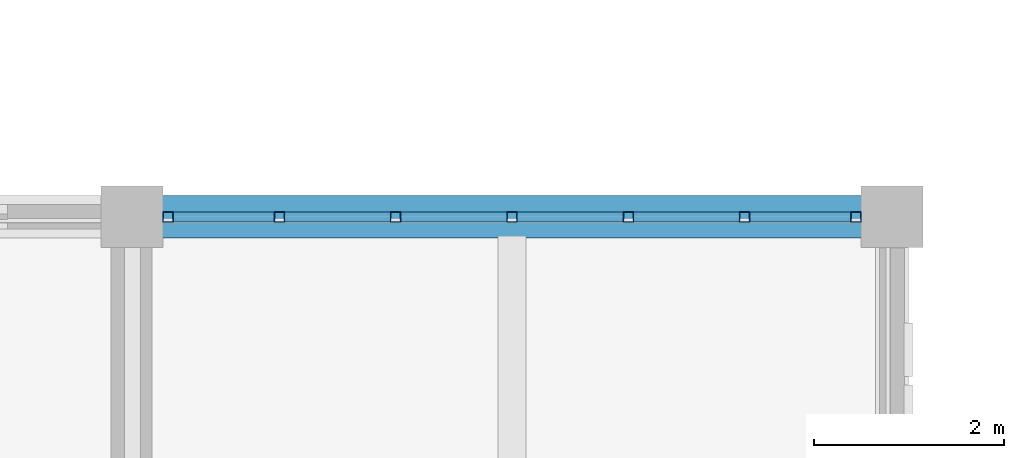
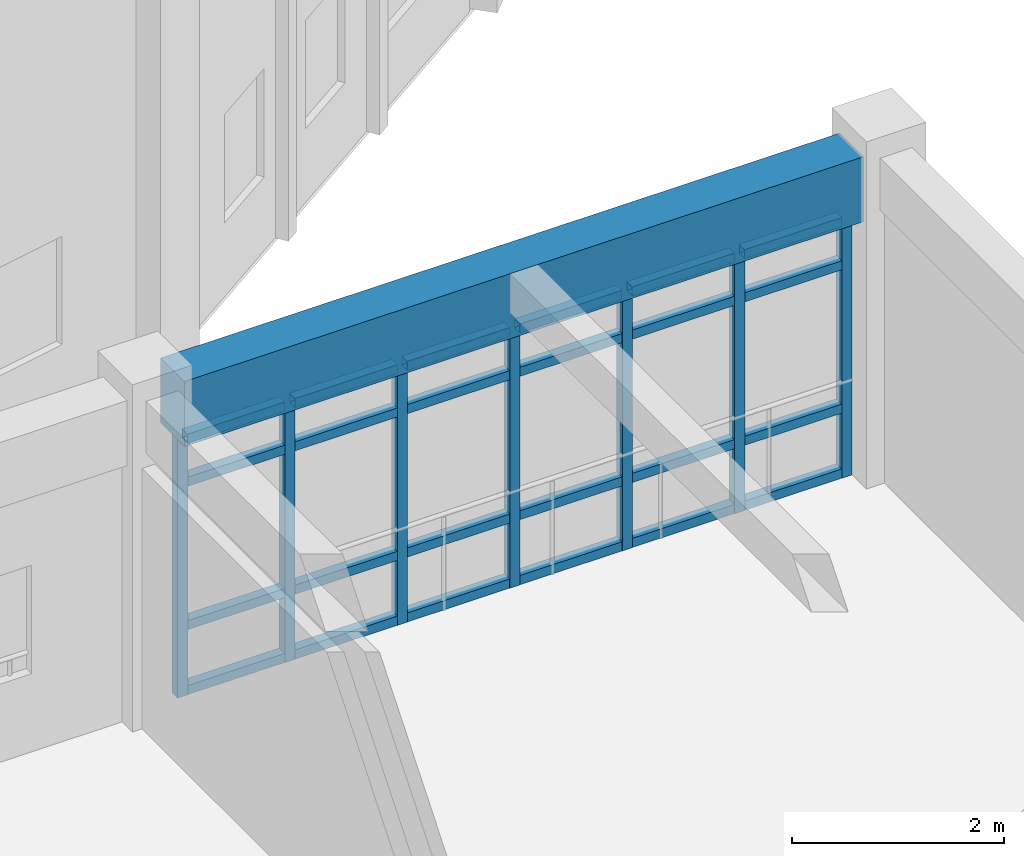
# One storey, part 58 of 149: 31 members, 1 beam, 1 element without a shape of its own.
"""IFC4 building model written with IfcOpenShell, lengths in metres."""

from ifc_helpers import new_model, si_unit, direction, frame, origin, origin_2d, place, context, subcontext, project, spatial, rectangle, hollow_rectangle, extrude, material, material_profile, profile_set, type_object, element, aggregate, save


model = new_model("IFC4")

# Units and contexts
model_context = context("Model", 3, precision=1e-05, world=origin(), true_north=direction((0.0, 1.0)))
body_context = subcontext(model_context, "Body", "Model", "MODEL_VIEW")
ifc_project = project(units=[si_unit("LENGTHUNIT", "METRE"), si_unit("AREAUNIT", "SQUARE_METRE"), si_unit("VOLUMEUNIT", "CUBIC_METRE"), si_unit("PLANEANGLEUNIT", "RADIAN"), si_unit("MASSUNIT", "GRAM", prefix="KILO")], contexts=[model_context])

# Site, building, storey
site_placement = place(None, origin())
site = spatial("IfcSite", under=ifc_project, at=site_placement, CompositionType="ELEMENT")
building_placement = place(site_placement, origin())
building = spatial("IfcBuilding", under=site, at=building_placement, Name="Celadon Cloister-Ring School", CompositionType="ELEMENT")
storey_placement = place(building_placement, frame((0.0, 0.0, 12.5)))
storey = spatial("IfcBuildingStorey", under=building, at=storey_placement, Name="L03", CompositionType="ELEMENT", Elevation=12.5)

# Curtain wall, members
ifc_material_1 = material(Name="Aluminium EN AW-6063 T6", Category="aluminium")
curtain_wall_type = type_object("IfcCurtainWallType", Name="CW-15", PredefinedType="USERDEFINED", material=ifc_material_1)
curtain_wall_placement = place(storey_placement, origin())
curtain_wall = element("IfcCurtainWall", 1, at=curtain_wall_placement, inside=storey, type_object=curtain_wall_type, Name="Curtain Wall 0204", ObjectType="CURTAIN WALL", PredefinedType="USERDEFINED")
ifc_material_2 = material(Name="Aluminium EN AW-6063 T6", Category="aluminium")
ifc_material_profile_1 = material_profile(ifc_material_2, hollow_rectangle(XDim=0.110107421875, YDim=0.110107421875, WallThickness=0.0048828125, at=origin_2d()), Name="RHS110X110X5")
ifc_profile_set_1 = profile_set([ifc_material_profile_1], Name="Aluminium EN AW-6063 T6")
member_type_1 = type_object("IfcMemberType", Name="CM-01", PredefinedType="MULLION", material=ifc_profile_set_1)
member_1_placement = place(storey_placement, frame((24.3798828125, 76.0, 0.0), z_axis=(0.0, 0.0, 1.0), x_axis=(0.0, 1.0, 0.0)))
member_1 = element("IfcMember", 2, at=member_1_placement, type_object=member_type_1, Name="CW-15 mullion 1", PredefinedType="MULLION", context=body_context, shape_type="SweptSolid", body=[
    extrude(hollow_rectangle(XDim=0.110107421875, YDim=0.110107421875, WallThickness=0.0048828125, at=origin_2d()), origin(), (0.0, 0.0, 1.0), 3.001953125),
])
member_2_placement = place(storey_placement, frame((25.550048828125, 76.0, 0.0), z_axis=(0.0, 0.0, 1.0), x_axis=(0.0, 1.0, 0.0)))
member_2 = element("IfcMember", 3, at=member_2_placement, type_object=member_type_1, Name="CW-15 mullion 2", PredefinedType="MULLION", context=body_context, shape_type="SweptSolid", body=[
    extrude(hollow_rectangle(XDim=0.110107421875, YDim=0.110107421875, WallThickness=0.0048828125, at=origin_2d()), origin(), (0.0, 0.0, 1.0), 3.001953125),
])
member_3_placement = place(storey_placement, frame((26.77490234375, 76.0, 0.0), z_axis=(0.0, 0.0, 1.0), x_axis=(0.0, 1.0, 0.0)))
member_3 = element("IfcMember", 4, at=member_3_placement, type_object=member_type_1, Name="CW-15 mullion 3", PredefinedType="MULLION", context=body_context, shape_type="SweptSolid", body=[
    extrude(hollow_rectangle(XDim=0.110107421875, YDim=0.110107421875, WallThickness=0.0048828125, at=origin_2d()), origin(), (0.0, 0.0, 1.0), 3.001953125),
])
member_4_placement = place(storey_placement, frame((28.0, 76.0, 0.0), z_axis=(0.0, 0.0, 1.0), x_axis=(0.0, 1.0, 0.0)))
member_4 = element("IfcMember", 5, at=member_4_placement, type_object=member_type_1, Name="CW-15 mullion 4", PredefinedType="MULLION", context=body_context, shape_type="SweptSolid", body=[
    extrude(hollow_rectangle(XDim=0.110107421875, YDim=0.110107421875, WallThickness=0.0048828125, at=origin_2d()), origin(), (0.0, 0.0, 1.0), 3.001953125),
])
member_5_placement = place(storey_placement, frame((29.22509765625, 76.0, 0.0), z_axis=(0.0, 0.0, 1.0), x_axis=(0.0, 1.0, 0.0)))
member_5 = element("IfcMember", 6, at=member_5_placement, type_object=member_type_1, Name="CW-15 mullion 5", PredefinedType="MULLION", context=body_context, shape_type="SweptSolid", body=[
    extrude(hollow_rectangle(XDim=0.110107421875, YDim=0.110107421875, WallThickness=0.0048828125, at=origin_2d()), origin(), (0.0, 0.0, 1.0), 3.001953125),
])
member_6_placement = place(storey_placement, frame((30.449951171875, 76.0, 0.0), z_axis=(0.0, 0.0, 1.0), x_axis=(0.0, 1.0, 0.0)))
member_6 = element("IfcMember", 7, at=member_6_placement, type_object=member_type_1, Name="CW-15 mullion 6", PredefinedType="MULLION", context=body_context, shape_type="SweptSolid", body=[
    extrude(hollow_rectangle(XDim=0.110107421875, YDim=0.110107421875, WallThickness=0.0048828125, at=origin_2d()), origin(), (0.0, 0.0, 1.0), 3.001953125),
])
member_7_placement = place(storey_placement, frame((31.6201171875, 76.0, 0.0), z_axis=(0.0, 0.0, 1.0), x_axis=(0.0, 1.0, 0.0)))
member_7 = element("IfcMember", 8, at=member_7_placement, type_object=member_type_1, Name="CW-15 mullion 7", PredefinedType="MULLION", context=body_context, shape_type="SweptSolid", body=[
    extrude(hollow_rectangle(XDim=0.110107421875, YDim=0.110107421875, WallThickness=0.0048828125, at=origin_2d()), origin(), (0.0, 0.0, 1.0), 3.001953125),
])
ifc_material_3 = material(Name="Aluminium EN AW-6063 T6", Category="aluminium")
ifc_material_profile_2 = material_profile(ifc_material_3, hollow_rectangle(XDim=0.10498046875, YDim=0.10498046875, WallThickness=0.0048828125, at=origin_2d()), Name="RHS105X105X5")
ifc_profile_set_2 = profile_set([ifc_material_profile_2], Name="Aluminium EN AW-6063 T6")
member_type_2 = type_object("IfcMemberType", Name="CTM-01", PredefinedType="USERDEFINED", material=ifc_profile_set_2)
member_8_placement = place(storey_placement, frame((24.43505859375, 76.0, 0.052490234375), z_axis=(1.0, 0.0, 0.0), x_axis=(0.0, 1.0, 0.0)))
member_8 = element("IfcMember", 9, at=member_8_placement, type_object=member_type_2, Name="CW-15 transom 1.1", ObjectType="TRANSOM", PredefinedType="USERDEFINED", context=body_context, shape_type="SweptSolid", body=[
    extrude(hollow_rectangle(XDim=0.10498046875, YDim=0.10498046875, WallThickness=0.0048828125, at=origin_2d()), origin(), (0.0, 0.0, 1.0), 1.06005859375),
])
member_9_placement = place(storey_placement, frame((24.43505859375, 76.0, 0.800048828125), z_axis=(1.0, 0.0, 0.0), x_axis=(0.0, 1.0, 0.0)))
member_9 = element("IfcMember", 10, at=member_9_placement, type_object=member_type_2, Name="CW-15 transom 1.2", ObjectType="TRANSOM", PredefinedType="USERDEFINED", context=body_context, shape_type="SweptSolid", body=[
    extrude(hollow_rectangle(XDim=0.10498046875, YDim=0.10498046875, WallThickness=0.0048828125, at=origin_2d()), origin(), (0.0, 0.0, 1.0), 1.06005859375),
])
member_10_placement = place(storey_placement, frame((24.43505859375, 76.0, 2.451904296875), z_axis=(1.0, 0.0, 0.0), x_axis=(0.0, 1.0, 0.0)))
member_10 = element("IfcMember", 11, at=member_10_placement, type_object=member_type_2, Name="CW-15 transom 1.3", ObjectType="TRANSOM", PredefinedType="USERDEFINED", context=body_context, shape_type="SweptSolid", body=[
    extrude(hollow_rectangle(XDim=0.10498046875, YDim=0.10498046875, WallThickness=0.0048828125, at=origin_2d()), origin(), (0.0, 0.0, 1.0), 1.06005859375),
])
member_11_placement = place(storey_placement, frame((24.43505859375, 76.0, 2.949462890625), z_axis=(1.0, 0.0, 0.0), x_axis=(0.0, 1.0, 0.0)))
member_11 = element("IfcMember", 12, at=member_11_placement, type_object=member_type_2, Name="CW-15 transom 1.4", ObjectType="TRANSOM", PredefinedType="USERDEFINED", context=body_context, shape_type="SweptSolid", body=[
    extrude(hollow_rectangle(XDim=0.10498046875, YDim=0.10498046875, WallThickness=0.0048828125, at=origin_2d()), origin(), (0.0, 0.0, 1.0), 1.06005859375),
])
member_12_placement = place(storey_placement, frame((25.60498046875, 76.0, 0.052490234375), z_axis=(1.0, 0.0, 0.0), x_axis=(0.0, 1.0, 0.0)))
member_12 = element("IfcMember", 13, at=member_12_placement, type_object=member_type_2, Name="CW-15 transom 2.1", ObjectType="TRANSOM", PredefinedType="USERDEFINED", context=body_context, shape_type="SweptSolid", body=[
    extrude(hollow_rectangle(XDim=0.10498046875, YDim=0.10498046875, WallThickness=0.0048828125, at=origin_2d()), origin(), (0.0, 0.0, 1.0), 1.114990234375),
])
member_13_placement = place(storey_placement, frame((25.60498046875, 76.0, 0.800048828125), z_axis=(1.0, 0.0, 0.0), x_axis=(0.0, 1.0, 0.0)))
member_13 = element("IfcMember", 14, at=member_13_placement, type_object=member_type_2, Name="CW-15 transom 2.2", ObjectType="TRANSOM", PredefinedType="USERDEFINED", context=body_context, shape_type="SweptSolid", body=[
    extrude(hollow_rectangle(XDim=0.10498046875, YDim=0.10498046875, WallThickness=0.0048828125, at=origin_2d()), origin(), (0.0, 0.0, 1.0), 1.114990234375),
])
member_14_placement = place(storey_placement, frame((25.60498046875, 76.0, 2.451904296875), z_axis=(1.0, 0.0, 0.0), x_axis=(0.0, 1.0, 0.0)))
member_14 = element("IfcMember", 15, at=member_14_placement, type_object=member_type_2, Name="CW-15 transom 2.3", ObjectType="TRANSOM", PredefinedType="USERDEFINED", context=body_context, shape_type="SweptSolid", body=[
    extrude(hollow_rectangle(XDim=0.10498046875, YDim=0.10498046875, WallThickness=0.0048828125, at=origin_2d()), origin(), (0.0, 0.0, 1.0), 1.114990234375),
])
member_15_placement = place(storey_placement, frame((25.60498046875, 76.0, 2.949462890625), z_axis=(1.0, 0.0, 0.0), x_axis=(0.0, 1.0, 0.0)))
member_15 = element("IfcMember", 16, at=member_15_placement, type_object=member_type_2, Name="CW-15 transom 2.4", ObjectType="TRANSOM", PredefinedType="USERDEFINED", context=body_context, shape_type="SweptSolid", body=[
    extrude(hollow_rectangle(XDim=0.10498046875, YDim=0.10498046875, WallThickness=0.0048828125, at=origin_2d()), origin(), (0.0, 0.0, 1.0), 1.114990234375),
])
member_16_placement = place(storey_placement, frame((26.830078125, 76.0, 0.052490234375), z_axis=(1.0, 0.0, 0.0), x_axis=(0.0, 1.0, 0.0)))
member_16 = element("IfcMember", 17, at=member_16_placement, type_object=member_type_2, Name="CW-15 transom 3.1", ObjectType="TRANSOM", PredefinedType="USERDEFINED", context=body_context, shape_type="SweptSolid", body=[
    extrude(hollow_rectangle(XDim=0.10498046875, YDim=0.10498046875, WallThickness=0.0048828125, at=origin_2d()), origin(), (0.0, 0.0, 1.0), 1.114990234375),
])
member_17_placement = place(storey_placement, frame((26.830078125, 76.0, 0.800048828125), z_axis=(1.0, 0.0, 0.0), x_axis=(0.0, 1.0, 0.0)))
member_17 = element("IfcMember", 18, at=member_17_placement, type_object=member_type_2, Name="CW-15 transom 3.2", ObjectType="TRANSOM", PredefinedType="USERDEFINED", context=body_context, shape_type="SweptSolid", body=[
    extrude(hollow_rectangle(XDim=0.10498046875, YDim=0.10498046875, WallThickness=0.0048828125, at=origin_2d()), origin(), (0.0, 0.0, 1.0), 1.114990234375),
])
member_18_placement = place(storey_placement, frame((26.830078125, 76.0, 2.451904296875), z_axis=(1.0, 0.0, 0.0), x_axis=(0.0, 1.0, 0.0)))
member_18 = element("IfcMember", 19, at=member_18_placement, type_object=member_type_2, Name="CW-15 transom 3.3", ObjectType="TRANSOM", PredefinedType="USERDEFINED", context=body_context, shape_type="SweptSolid", body=[
    extrude(hollow_rectangle(XDim=0.10498046875, YDim=0.10498046875, WallThickness=0.0048828125, at=origin_2d()), origin(), (0.0, 0.0, 1.0), 1.114990234375),
])
member_19_placement = place(storey_placement, frame((26.830078125, 76.0, 2.949462890625), z_axis=(1.0, 0.0, 0.0), x_axis=(0.0, 1.0, 0.0)))
member_19 = element("IfcMember", 20, at=member_19_placement, type_object=member_type_2, Name="CW-15 transom 3.4", ObjectType="TRANSOM", PredefinedType="USERDEFINED", context=body_context, shape_type="SweptSolid", body=[
    extrude(hollow_rectangle(XDim=0.10498046875, YDim=0.10498046875, WallThickness=0.0048828125, at=origin_2d()), origin(), (0.0, 0.0, 1.0), 1.114990234375),
])
member_20_placement = place(storey_placement, frame((28.054931640625, 76.0, 0.052490234375), z_axis=(1.0, 0.0, 0.0), x_axis=(0.0, 1.0, 0.0)))
member_20 = element("IfcMember", 21, at=member_20_placement, type_object=member_type_2, Name="CW-15 transom 4.1", ObjectType="TRANSOM", PredefinedType="USERDEFINED", context=body_context, shape_type="SweptSolid", body=[
    extrude(hollow_rectangle(XDim=0.10498046875, YDim=0.10498046875, WallThickness=0.0048828125, at=origin_2d()), origin(), (0.0, 0.0, 1.0), 1.114990234375),
])
member_21_placement = place(storey_placement, frame((28.054931640625, 76.0, 0.800048828125), z_axis=(1.0, 0.0, 0.0), x_axis=(0.0, 1.0, 0.0)))
member_21 = element("IfcMember", 22, at=member_21_placement, type_object=member_type_2, Name="CW-15 transom 4.2", ObjectType="TRANSOM", PredefinedType="USERDEFINED", context=body_context, shape_type="SweptSolid", body=[
    extrude(hollow_rectangle(XDim=0.10498046875, YDim=0.10498046875, WallThickness=0.0048828125, at=origin_2d()), origin(), (0.0, 0.0, 1.0), 1.114990234375),
])
member_22_placement = place(storey_placement, frame((28.054931640625, 76.0, 2.451904296875), z_axis=(1.0, 0.0, 0.0), x_axis=(0.0, 1.0, 0.0)))
member_22 = element("IfcMember", 23, at=member_22_placement, type_object=member_type_2, Name="CW-15 transom 4.3", ObjectType="TRANSOM", PredefinedType="USERDEFINED", context=body_context, shape_type="SweptSolid", body=[
    extrude(hollow_rectangle(XDim=0.10498046875, YDim=0.10498046875, WallThickness=0.0048828125, at=origin_2d()), origin(), (0.0, 0.0, 1.0), 1.114990234375),
])
member_23_placement = place(storey_placement, frame((28.054931640625, 76.0, 2.949462890625), z_axis=(1.0, 0.0, 0.0), x_axis=(0.0, 1.0, 0.0)))
member_23 = element("IfcMember", 24, at=member_23_placement, type_object=member_type_2, Name="CW-15 transom 4.4", ObjectType="TRANSOM", PredefinedType="USERDEFINED", context=body_context, shape_type="SweptSolid", body=[
    extrude(hollow_rectangle(XDim=0.10498046875, YDim=0.10498046875, WallThickness=0.0048828125, at=origin_2d()), origin(), (0.0, 0.0, 1.0), 1.114990234375),
])
member_24_placement = place(storey_placement, frame((29.280029296875, 76.0, 0.052490234375), z_axis=(1.0, 0.0, 0.0), x_axis=(0.0, 1.0, 0.0)))
member_24 = element("IfcMember", 25, at=member_24_placement, type_object=member_type_2, Name="CW-15 transom 5.1", ObjectType="TRANSOM", PredefinedType="USERDEFINED", context=body_context, shape_type="SweptSolid", body=[
    extrude(hollow_rectangle(XDim=0.10498046875, YDim=0.10498046875, WallThickness=0.0048828125, at=origin_2d()), origin(), (0.0, 0.0, 1.0), 1.114990234375),
])
member_25_placement = place(storey_placement, frame((29.280029296875, 76.0, 0.800048828125), z_axis=(1.0, 0.0, 0.0), x_axis=(0.0, 1.0, 0.0)))
member_25 = element("IfcMember", 26, at=member_25_placement, type_object=member_type_2, Name="CW-15 transom 5.2", ObjectType="TRANSOM", PredefinedType="USERDEFINED", context=body_context, shape_type="SweptSolid", body=[
    extrude(hollow_rectangle(XDim=0.10498046875, YDim=0.10498046875, WallThickness=0.0048828125, at=origin_2d()), origin(), (0.0, 0.0, 1.0), 1.114990234375),
])
member_26_placement = place(storey_placement, frame((29.280029296875, 76.0, 2.451904296875), z_axis=(1.0, 0.0, 0.0), x_axis=(0.0, 1.0, 0.0)))
member_26 = element("IfcMember", 27, at=member_26_placement, type_object=member_type_2, Name="CW-15 transom 5.3", ObjectType="TRANSOM", PredefinedType="USERDEFINED", context=body_context, shape_type="SweptSolid", body=[
    extrude(hollow_rectangle(XDim=0.10498046875, YDim=0.10498046875, WallThickness=0.0048828125, at=origin_2d()), origin(), (0.0, 0.0, 1.0), 1.114990234375),
])
member_27_placement = place(storey_placement, frame((29.280029296875, 76.0, 2.949462890625), z_axis=(1.0, 0.0, 0.0), x_axis=(0.0, 1.0, 0.0)))
member_27 = element("IfcMember", 28, at=member_27_placement, type_object=member_type_2, Name="CW-15 transom 5.4", ObjectType="TRANSOM", PredefinedType="USERDEFINED", context=body_context, shape_type="SweptSolid", body=[
    extrude(hollow_rectangle(XDim=0.10498046875, YDim=0.10498046875, WallThickness=0.0048828125, at=origin_2d()), origin(), (0.0, 0.0, 1.0), 1.114990234375),
])
member_28_placement = place(storey_placement, frame((30.5048828125, 76.0, 0.052490234375), z_axis=(1.0, 0.0, 0.0), x_axis=(0.0, 1.0, 0.0)))
member_28 = element("IfcMember", 29, at=member_28_placement, type_object=member_type_2, Name="CW-15 transom 6.1", ObjectType="TRANSOM", PredefinedType="USERDEFINED", context=body_context, shape_type="SweptSolid", body=[
    extrude(hollow_rectangle(XDim=0.10498046875, YDim=0.10498046875, WallThickness=0.0048828125, at=origin_2d()), origin(), (0.0, 0.0, 1.0), 1.06005859375),
])
member_29_placement = place(storey_placement, frame((30.5048828125, 76.0, 0.800048828125), z_axis=(1.0, 0.0, 0.0), x_axis=(0.0, 1.0, 0.0)))
member_29 = element("IfcMember", 30, at=member_29_placement, type_object=member_type_2, Name="CW-15 transom 6.2", ObjectType="TRANSOM", PredefinedType="USERDEFINED", context=body_context, shape_type="SweptSolid", body=[
    extrude(hollow_rectangle(XDim=0.10498046875, YDim=0.10498046875, WallThickness=0.0048828125, at=origin_2d()), origin(), (0.0, 0.0, 1.0), 1.06005859375),
])
member_30_placement = place(storey_placement, frame((30.5048828125, 76.0, 2.451904296875), z_axis=(1.0, 0.0, 0.0), x_axis=(0.0, 1.0, 0.0)))
member_30 = element("IfcMember", 31, at=member_30_placement, type_object=member_type_2, Name="CW-15 transom 6.3", ObjectType="TRANSOM", PredefinedType="USERDEFINED", context=body_context, shape_type="SweptSolid", body=[
    extrude(hollow_rectangle(XDim=0.10498046875, YDim=0.10498046875, WallThickness=0.0048828125, at=origin_2d()), origin(), (0.0, 0.0, 1.0), 1.06005859375),
])
member_31_placement = place(storey_placement, frame((30.5048828125, 76.0, 2.949462890625), z_axis=(1.0, 0.0, 0.0), x_axis=(0.0, 1.0, 0.0)))
member_31 = element("IfcMember", 32, at=member_31_placement, type_object=member_type_2, Name="CW-15 transom 6.4", ObjectType="TRANSOM", PredefinedType="USERDEFINED", context=body_context, shape_type="SweptSolid", body=[
    extrude(hollow_rectangle(XDim=0.10498046875, YDim=0.10498046875, WallThickness=0.0048828125, at=origin_2d()), origin(), (0.0, 0.0, 1.0), 1.06005859375),
])
aggregate(curtain_wall, [member_1, member_2, member_3, member_4, member_5, member_6, member_7, member_8, member_9, member_10, member_11, member_12, member_13, member_14, member_15, member_16, member_17, member_18, member_19, member_20, member_21, member_22, member_23, member_24, member_25, member_26, member_27, member_28, member_29, member_30, member_31])

# Beam
ifc_material_4 = material(Name="Concrete C35/45", Category="concrete")
ifc_material_profile_3 = material_profile(ifc_material_4, rectangle(XDim=0.449951171875, YDim=0.75, at=origin_2d()), Name="RC450X750")
ifc_profile_set_3 = profile_set([ifc_material_profile_3], Name="Concrete C35/45")
beam_type = type_object("IfcBeamType", Name="GT-02", PredefinedType="USERDEFINED", material=ifc_profile_set_3)
beam_placement = place(storey_placement, frame((24.300048828125, 76.0, 3.385009765625), z_axis=(1.0, 0.0, 0.0), x_axis=(0.0, 1.0, 0.0)))
element("IfcBeam", 33, at=beam_placement, inside=storey, type_object=beam_type, Name="Beam 1619", ObjectType="GIRDER", PredefinedType="USERDEFINED", context=body_context, shape_type="SweptSolid", body=[
    extrude(rectangle(XDim=0.449951171875, YDim=0.75, at=origin_2d()), origin(), (0.0, 0.0, 1.0), 7.39990234375),
])

save(model, "model.ifc")
